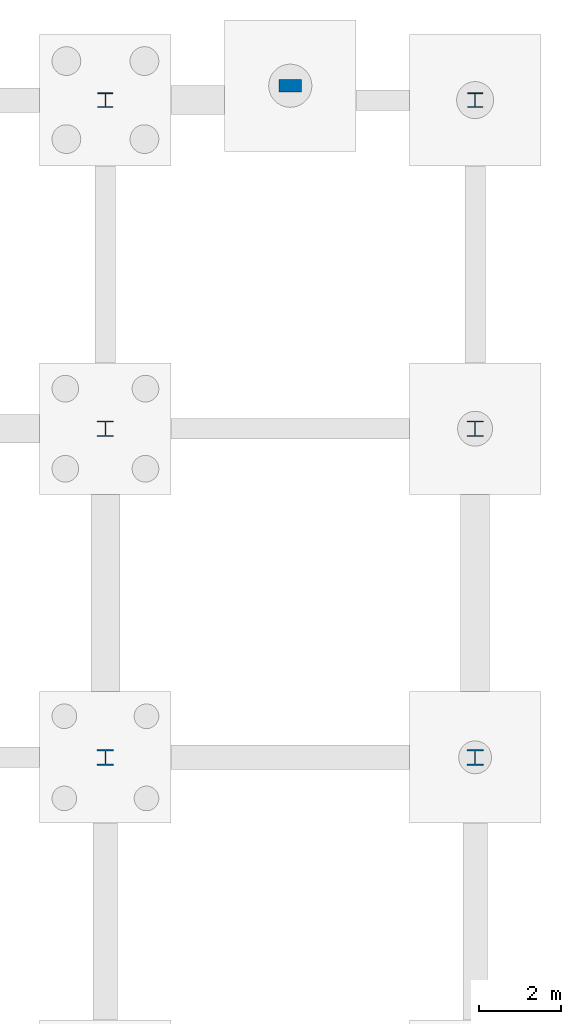
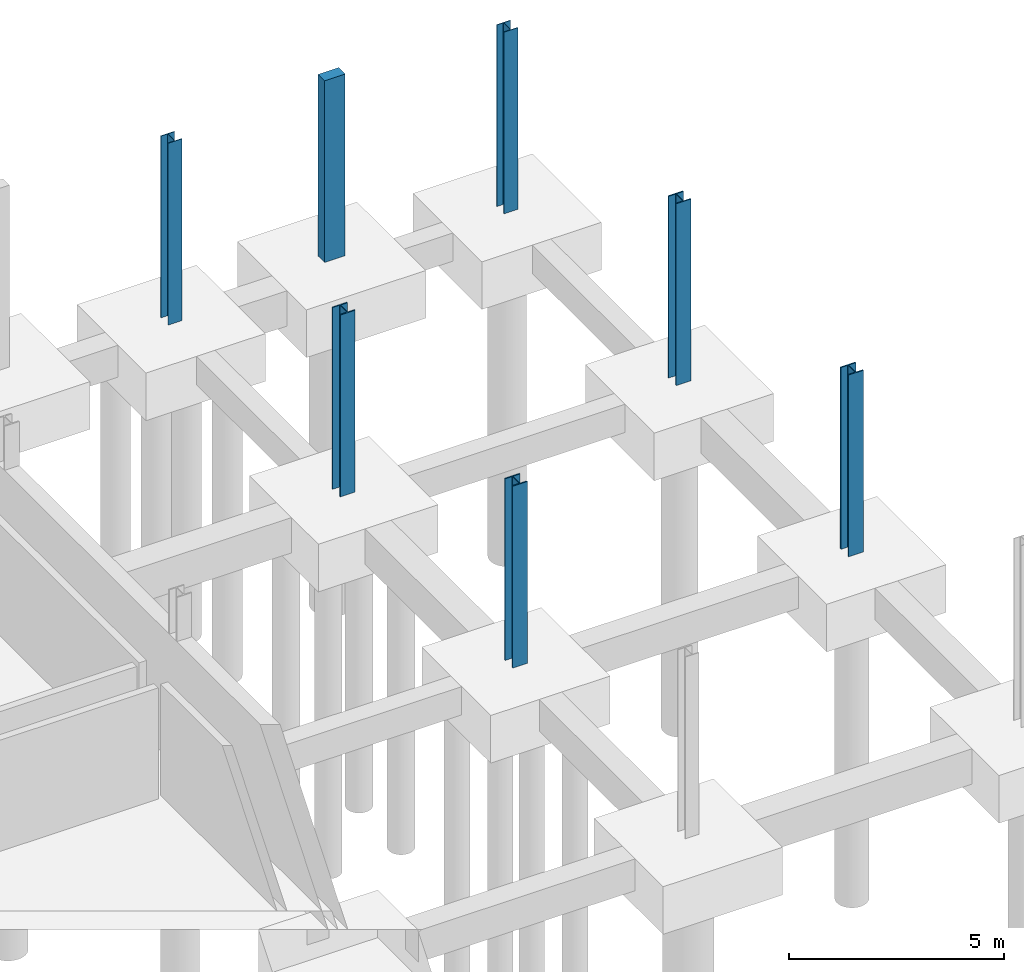
# One storey, part 22 of 37: 7 columns.
"""IFC4 building model written with IfcOpenShell, lengths in metres."""

from ifc_helpers import new_model, si_unit, direction, frame, origin, origin_2d, place, context, subcontext, project, spatial, rectangle, i_section, extrude, material, material_profile, profile_set, type_object, element, save


model = new_model("IFC4")

# Units and contexts
model_context = context("Model", 3, precision=1e-05, world=origin(), true_north=direction((0.0, 1.0)))
body_context = subcontext(model_context, "Body", "Model", "MODEL_VIEW")
ifc_project = project(units=[si_unit("LENGTHUNIT", "METRE"), si_unit("AREAUNIT", "SQUARE_METRE"), si_unit("VOLUMEUNIT", "CUBIC_METRE"), si_unit("PLANEANGLEUNIT", "RADIAN"), si_unit("MASSUNIT", "GRAM", prefix="KILO"), si_unit("THERMODYNAMICTEMPERATUREUNIT", "KELVIN"), si_unit("POWERUNIT", "WATT")], contexts=[model_context])

# Site, building, storey
site_placement = place(None, origin())
site = spatial("IfcSite", under=ifc_project, at=site_placement, CompositionType="ELEMENT")
building_placement = place(site_placement, origin())
building = spatial("IfcBuilding", under=site, at=building_placement, Name="Zelmaris Science Centre", CompositionType="ELEMENT")
storey_placement = place(building_placement, frame((0.0, 0.0, -4.800048828125)))
storey = spatial("IfcBuildingStorey", under=building, at=storey_placement, Name="B1", CompositionType="ELEMENT", Elevation=-4.800048828125)

# Columns
ifc_material_1 = material(Name="Steel ASTM A992 Grade 50", Category="steel")
ifc_material_profile_1 = material_profile(ifc_material_1, i_section(OverallWidth=0.39892578125, OverallDepth=0.385986328125, WebThickness=0.02099609375, FlangeThickness=0.033203125, FilletRadius=0.014892578125, at=origin_2d()), Name="W14X176")
ifc_profile_set_1 = profile_set([ifc_material_profile_1], Name="Steel ASTM A992 Grade 50")
column_type_1 = type_object("IfcColumnType", Name="Column C-04 W14X176", PredefinedType="COLUMN", material=ifc_profile_set_1)
for number, where, z_axis, x_axis, name in (
    (1, (99.0, 72.0, -0.349853515625), (0.0, 0.0, 1.0), (1.0, 0.0, 0.0), "Column V5-C-99-72 B1"),
    (2, (99.0, 80.0, -0.349853515625), (0.0, 0.0, 1.0), (1.0, 0.0, 0.0), "Column V5-C-99-80 B1"),
    (3, (108.0, 72.0, -0.349853515625), (0.0, 0.0, 1.0), (1.0, 0.0, 0.0), "Column V5-C-108-72 B1"),
    (4, (108.0, 80.0, -0.349853515625), (0.0, 0.0, 1.0), (1.0, 0.0, 0.0), "Column V5-C-108-80 B1"),
):
    element("IfcColumn", number, at=place(storey_placement, frame(where, z_axis=z_axis, x_axis=x_axis)), inside=storey, type_object=column_type_1, Name=name, PredefinedType="COLUMN", context=body_context, shape_type="SweptSolid", body=[
        extrude(i_section(OverallWidth=0.39892578125, OverallDepth=0.385986328125, WebThickness=0.02099609375, FlangeThickness=0.033203125, FilletRadius=0.014892578125, at=origin_2d()), origin(), (0.0, 0.0, 1.0), 5.14990234375),
    ])
ifc_material_profile_2 = material_profile(ifc_material_1, i_section(OverallWidth=0.367919921875, OverallDepth=0.35595703125, WebThickness=0.01123046875, FlangeThickness=0.01806640625, FilletRadius=0.014892578125, at=origin_2d()), Name="W14X90")
ifc_profile_set_2 = profile_set([ifc_material_profile_2], Name="Steel ASTM A992 Grade 50")
column_type_2 = type_object("IfcColumnType", Name="Column C-07 W14X90", PredefinedType="COLUMN", material=ifc_profile_set_2)
for number, where, z_axis, x_axis, name in (
    (5, (99.0, 88.0, -0.349853515625), (0.0, 0.0, 1.0), (1.0, 0.0, 0.0), "Column V5-C-99-88 B1"),
    (6, (108.0, 88.0, -0.349853515625), (0.0, 0.0, 1.0), (1.0, 0.0, 0.0), "Column V5-C-108-88 B1"),
):
    element("IfcColumn", number, at=place(storey_placement, frame(where, z_axis=z_axis, x_axis=x_axis)), inside=storey, type_object=column_type_2, Name=name, PredefinedType="COLUMN", context=body_context, shape_type="SweptSolid", body=[
        extrude(i_section(OverallWidth=0.367919921875, OverallDepth=0.35595703125, WebThickness=0.01123046875, FlangeThickness=0.01806640625, FilletRadius=0.014892578125, at=origin_2d()), origin(), (0.0, 0.0, 1.0), 5.14990234375),
    ])
ifc_material_2 = material(Name="Yucatan limestone ashlar masonry", Category="masonry")
ifc_material_profile_3 = material_profile(ifc_material_2, rectangle(XDim=0.550048828125, YDim=0.300048828125, at=origin_2d()), Name="PIL-LIM-550X300")
ifc_profile_set_3 = profile_set([ifc_material_profile_3], Name="Yucatan limestone ashlar masonry")
column_type_3 = type_object("IfcColumnType", Name="Pilaster PL-03 PIL-LIM-550X300", PredefinedType="PILASTER", material=ifc_profile_set_3)
column_placement = place(storey_placement, frame((103.5, 88.35009765625, -0.349853515625), z_axis=(0.0, 0.0, 1.0), x_axis=(1.0, 0.0, 0.0)))
element("IfcColumn", 7, at=column_placement, inside=storey, type_object=column_type_3, Name="Limestone pilaster PIL-V5N-3 B1", PredefinedType="PILASTER", context=body_context, shape_type="SweptSolid", body=[
    extrude(rectangle(XDim=0.550048828125, YDim=0.300048828125, at=origin_2d()), origin(), (0.0, 0.0, 1.0), 5.14990234375),
])

save(model, "model.ifc")
